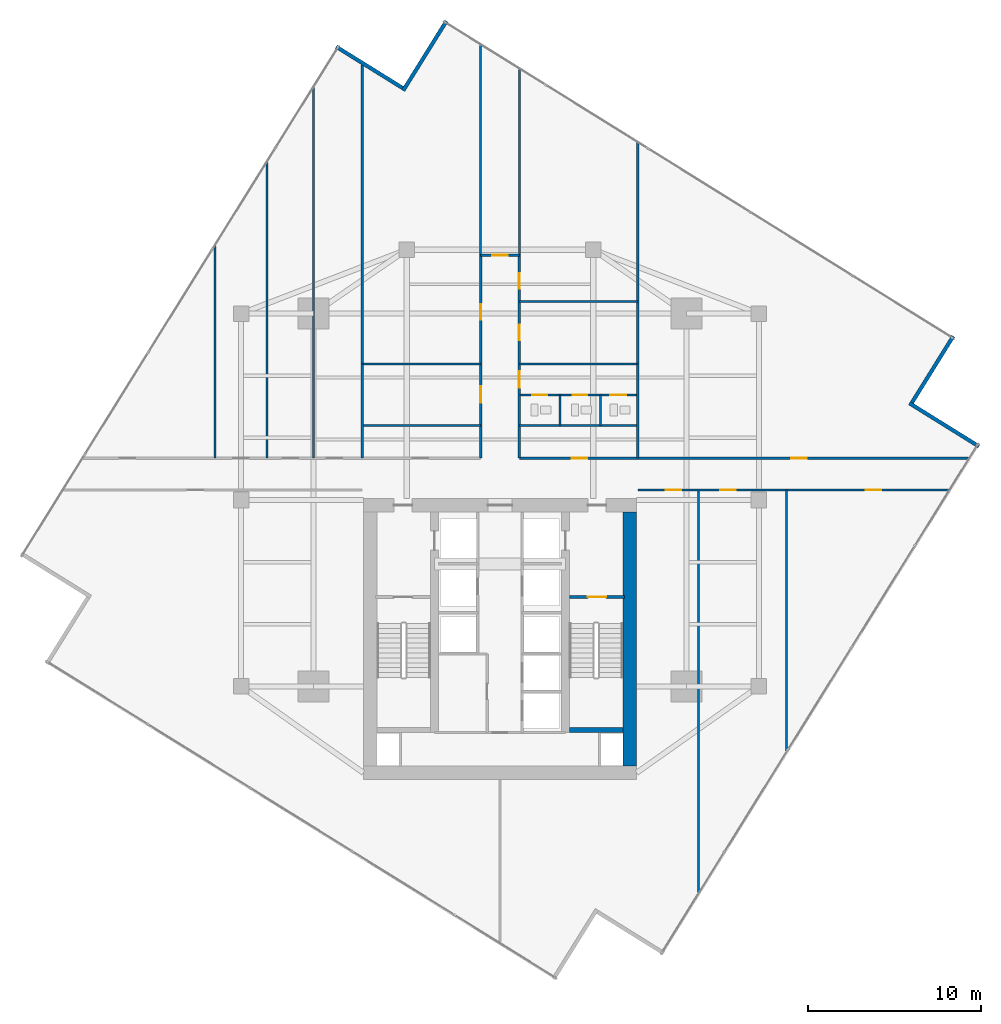
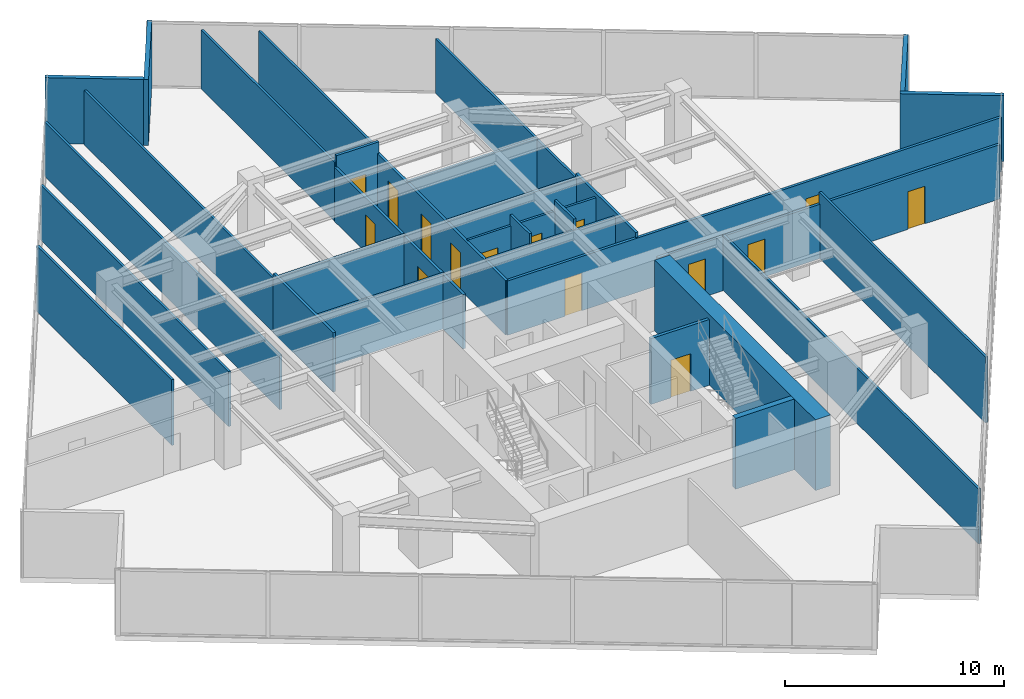
# One storey, part 22 of 25: 31 walls, 15 doors, 15 openings.
"""IFC4 building model written with IfcOpenShell, lengths in metres."""

from ifc_helpers import new_model, si_unit, direction, frame, frame_2d, origin, place, context, subcontext, project, spatial, rectangle, extrude, material, layer, layer_set, type_object, element, fill, save


model = new_model("IFC4")

# Units and contexts
model_context = context("Model", 3, precision=1e-05, world=origin(), true_north=direction((0.0, 1.0)))
body_context = subcontext(model_context, "Body", "Model", "MODEL_VIEW")
ifc_project = project(units=[si_unit("LENGTHUNIT", "METRE"), si_unit("AREAUNIT", "SQUARE_METRE"), si_unit("VOLUMEUNIT", "CUBIC_METRE"), si_unit("PLANEANGLEUNIT", "RADIAN"), si_unit("MASSUNIT", "GRAM", prefix="KILO")], contexts=[model_context])

# Site, building, storey
site_placement = place(None, origin())
site = spatial("IfcSite", under=ifc_project, at=site_placement, CompositionType="ELEMENT")
building_placement = place(site_placement, origin())
building = spatial("IfcBuilding", under=site, at=building_placement, Name="Krantzveldt Concourse Tower", CompositionType="ELEMENT")
storey_placement = place(building_placement, frame((0.0, 0.0, 181.75)))
storey = spatial("IfcBuildingStorey", under=building, at=storey_placement, Name="L44", CompositionType="ELEMENT", Elevation=181.75)

# Walls
ifc_material_1 = material(Name="Anodised aluminium 6063-T6", Category="aluminium")
ifc_layer_1 = layer(ifc_material_1, 0.219970703125, Name="Anodised aluminium 6063-T6", Category="aluminium")
ifc_layer_set_1 = layer_set([ifc_layer_1], Name="Anodised aluminium 6063-T6 (WL-EXT-NOTCH220)")
wall_type_1 = type_object("IfcWallType", Name="WL-EXT-NOTCH220", PredefinedType="ELEMENTEDWALL", material=ifc_layer_set_1)
wall_1_placement = place(storey_placement, frame((30.354248046875, 50.571044921875, 0.0), z_axis=(0.0, 0.0, 1.0), x_axis=(-0.849196398465, 0.528077150456, 0.0)))
element("IfcWall", 1, at=wall_1_placement, inside=storey, type_object=wall_type_1, Name="EW-L44-NCH00", PredefinedType="ELEMENTEDWALL", context=body_context, shape_type="SweptSolid", body=[
    extrude(rectangle(XDim=4.525146484375, YDim=0.219970703125, at=frame_2d((2.2626953125, 0.0))), origin(), (0.0, 0.0, 1.0), 3.669921875),
])
wall_2_placement = place(storey_placement, frame((63.7490234375, 29.804931640625, 0.0), z_axis=(0.0, 0.0, 1.0), x_axis=(-0.84921299194, 0.528050465694, 0.0)))
element("IfcWall", 2, at=wall_2_placement, inside=storey, type_object=wall_type_1, Name="EW-L44-NCH08", PredefinedType="ELEMENTEDWALL", context=body_context, shape_type="SweptSolid", body=[
    extrude(rectangle(XDim=4.7451171875, YDim=0.219970703125, at=frame_2d((2.37255859375, 0.0))), origin(), (0.0, 0.0, 1.0), 3.669921875),
])
wall_3_placement = place(storey_placement, frame((59.87109375, 32.345947265625, 0.0), z_axis=(0.0, 0.0, 1.0), x_axis=(0.528062437074, 0.849205547881, 0.0)))
element("IfcWall", 3, at=wall_3_placement, inside=storey, type_object=wall_type_1, Name="EW-L44-NCH09", PredefinedType="ELEMENTEDWALL", context=body_context, shape_type="SweptSolid", body=[
    extrude(rectangle(XDim=4.52490234375, YDim=0.219970703125, at=frame_2d((2.262451171875, 0.0))), origin(), (0.0, 0.0, 1.0), 3.669921875),
])
wall_4_placement = place(storey_placement, frame((32.895263671875, 54.448974609375, 0.0), z_axis=(0.0, 0.0, 1.0), x_axis=(-0.528110642948, -0.849175570071, 0.0)))
element("IfcWall", 4, at=wall_4_placement, inside=storey, type_object=wall_type_1, Name="EW-L44-NCH11", PredefinedType="ELEMENTEDWALL", context=body_context, shape_type="SweptSolid", body=[
    extrude(rectangle(XDim=4.744873046875, YDim=0.219970703125, at=frame_2d((2.37255859375, 0.0))), origin(), (0.0, 0.0, 1.0), 3.669921875),
])
ifc_material_2 = material(Name="Fire-rated gypsum plasterboard on steel stud", Category="steel")
ifc_layer_2 = layer(ifc_material_2, 0.1201171875, Name="Fire-rated gypsum plasterboard on steel stud", Category="steel")
ifc_layer_set_2 = layer_set([ifc_layer_2], Name="Fire-rated gypsum plasterboard on steel stud (WL-PART-120)")
wall_type_2 = type_object("IfcWallType", Name="WL-PART-120", PredefinedType="PARTITIONING", material=ifc_layer_set_2)
for number, where, z_axis, x_axis, name in (
    (5, (28.02001953125, 31.02001953125, 0.0), (0.0, 0.0, 1.0), (1.0, 0.0, 0.0), "WP-L44-ISML"),
    (6, (37.1201171875, 31.02001953125, 0.0), (0.0, 0.0, 1.0), (1.0, 0.0, 0.0), "WP-L44-ISMR"),
):
    element("IfcWall", number, at=place(storey_placement, frame(where, z_axis=z_axis, x_axis=x_axis)), inside=storey, type_object=wall_type_2, Name=name, PredefinedType="PARTITIONING", context=body_context, shape_type="SweptSolid", body=[
        extrude(rectangle(XDim=6.85986328125, YDim=0.1201171875, at=frame_2d((3.429931640625, 0.0))), origin(), (0.0, 0.0, 1.0), 3.080078125),
    ])

# Wall, openings, doors
wall_5_placement = place(storey_placement, frame((37.14990234375, 32.780029296875, 0.0), z_axis=(0.0, 0.0, 1.0), x_axis=(1.0, 0.0, 0.0)))
wall_5 = element("IfcWall", 7, at=wall_5_placement, inside=storey, type_object=wall_type_2, Name="WP-L44-WCHDR", PredefinedType="PARTITIONING", context=body_context, shape_type="SweptSolid", body=[
    extrude(rectangle(XDim=6.800048828125, YDim=0.1201171875, at=frame_2d((3.39990234375, 0.0))), origin(), (0.0, 0.0, 1.0), 3.080078125),
])
opening_1_placement = place(wall_5_placement, frame((0.72509765625, 0.0, 0.0)))
opening_1 = element("IfcOpeningElement", 8, at=opening_1_placement, cuts=wall_5, Name="Opening D-IN085", PredefinedType="OPENING", context=body_context, shape_type="SweptSolid", body=[
    extrude(rectangle(XDim=0.85009765625, YDim=2.10009765625, at=frame_2d((0.425048828125, 1.050048828125))), frame((0.0, 0.070068359375, 0.0), z_axis=(0.0, -1.0, 0.0), x_axis=(1.0, 0.0, 0.0)), (0.0, 0.0, 1.0), 0.14013671875),
])
opening_2_placement = place(wall_5_placement, frame((3.06494140625, 0.0, 0.0)))
opening_2 = element("IfcOpeningElement", 9, at=opening_2_placement, cuts=wall_5, Name="Opening D-IN085", PredefinedType="OPENING", context=body_context, shape_type="SweptSolid", body=[
    extrude(rectangle(XDim=0.85009765625, YDim=2.10009765625, at=frame_2d((0.425048828125, 1.050048828125))), frame((0.0, 0.070068359375, 0.0), z_axis=(0.0, -1.0, 0.0), x_axis=(1.0, 0.0, 0.0)), (0.0, 0.0, 1.0), 0.14013671875),
])
opening_3_placement = place(wall_5_placement, frame((5.25, 0.0, 0.0)))
opening_3 = element("IfcOpeningElement", 10, at=opening_3_placement, cuts=wall_5, Name="Opening D-IN090", PredefinedType="OPENING", context=body_context, shape_type="SweptSolid", body=[
    extrude(rectangle(XDim=0.89990234375, YDim=2.10009765625, at=frame_2d((0.449951171875, 1.050048828125))), frame((0.0, 0.070068359375, 0.0), z_axis=(0.0, -1.0, 0.0), x_axis=(1.0, 0.0, 0.0)), (0.0, 0.0, 1.0), 0.14013671875),
])
ifc_material_3 = material(Name="Hardwood timber", Category="wood")
door_type_1 = type_object("IfcDoorType", Name="DR-INT-850", OperationType="SINGLE_SWING_LEFT", PredefinedType="DOOR", material=ifc_material_3)
door_1_placement = place(opening_1_placement, origin())
door_1 = element("IfcDoor", 11, at=door_1_placement, inside=storey, type_object=door_type_1, Name="DR-L44-WCM", OperationType="SINGLE_SWING_LEFT", OverallHeight=2.10009765625, OverallWidth=0.85009765625, PredefinedType="DOOR", context=body_context, shape_type="SweptSolid", body=[
    extrude(rectangle(XDim=0.85009765625, YDim=2.10009765625, at=frame_2d((0.425048828125, 1.050048828125))), frame((0.0, 0.02490234375, 0.0), z_axis=(0.0, -1.0, 0.0), x_axis=(1.0, 0.0, 0.0)), (0.0, 0.0, 1.0), 0.050048828125),
])
fill(opening_1, door_1)
door_2_placement = place(opening_2_placement, origin())
door_2 = element("IfcDoor", 12, at=door_2_placement, inside=storey, type_object=door_type_1, Name="DR-L44-WCF", OperationType="SINGLE_SWING_RIGHT", OverallHeight=2.10009765625, OverallWidth=0.85009765625, PredefinedType="DOOR", context=body_context, shape_type="SweptSolid", body=[
    extrude(rectangle(XDim=0.85009765625, YDim=2.10009765625, at=frame_2d((0.425048828125, 1.050048828125))), frame((0.0, 0.02490234375, 0.0), z_axis=(0.0, -1.0, 0.0), x_axis=(1.0, 0.0, 0.0)), (0.0, 0.0, 1.0), 0.050048828125),
])
fill(opening_2, door_2)
door_type_2 = type_object("IfcDoorType", Name="DR-INT-900", OperationType="SINGLE_SWING_LEFT", PredefinedType="DOOR", material=ifc_material_3)
door_3_placement = place(opening_3_placement, origin())
door_3 = element("IfcDoor", 13, at=door_3_placement, inside=storey, type_object=door_type_2, Name="DR-L44-WCA", OperationType="SINGLE_SWING_LEFT", OverallHeight=2.10009765625, OverallWidth=0.89990234375, PredefinedType="DOOR", context=body_context, shape_type="SweptSolid", body=[
    extrude(rectangle(XDim=0.89990234375, YDim=2.10009765625, at=frame_2d((0.449951171875, 1.050048828125))), frame((0.0, 0.02490234375, 0.0), z_axis=(0.0, -1.0, 0.0), x_axis=(1.0, 0.0, 0.0)), (0.0, 0.0, 1.0), 0.050048828125),
])
fill(opening_3, door_3)

# Walls
for number, where, z_axis, x_axis, name in (
    (14, (39.469970703125, 31.02001953125, 0.0), (0.0, 0.0, 1.0), (0.0, 1.0, 0.0), "WP-L44-WCD1"),
    (15, (41.81005859375, 31.02001953125, 0.0), (0.0, 0.0, 1.0), (0.0, 1.0, 0.0), "WP-L44-WCD2"),
):
    element("IfcWall", number, at=place(storey_placement, frame(where, z_axis=z_axis, x_axis=x_axis)), inside=storey, type_object=wall_type_2, Name=name, PredefinedType="PARTITIONING", context=body_context, shape_type="SweptSolid", body=[
        extrude(rectangle(XDim=1.760009765625, YDim=0.1201171875, at=frame_2d((0.8798828125, 0.0))), origin(), (0.0, 0.0, 1.0), 3.669921875),
    ])
wall_6_placement = place(storey_placement, frame((34.8798828125, 40.8798828125, 0.0), z_axis=(0.0, 0.0, 1.0), x_axis=(0.0, 1.0, 0.0)))
element("IfcWall", 16, at=wall_6_placement, inside=storey, type_object=wall_type_2, Name="WP-L44-NTL", PredefinedType="PARTITIONING", context=body_context, shape_type="SweptSolid", body=[
    extrude(rectangle(XDim=12.199462890625, YDim=0.1201171875, at=frame_2d((6.099609375, 0.0))), origin(), (0.0, 0.0, 1.0), 3.280029296875),
])
wall_7_placement = place(storey_placement, frame((37.1201171875, 40.8798828125, 0.0), z_axis=(0.0, 0.0, 1.0), x_axis=(0.0, 1.0, 0.0)))
element("IfcWall", 17, at=wall_7_placement, inside=storey, type_object=wall_type_2, Name="WP-L44-NTR", PredefinedType="PARTITIONING", context=body_context, shape_type="SweptSolid", body=[
    extrude(rectangle(XDim=10.806640625, YDim=0.1201171875, at=frame_2d((5.4033203125, 0.0))), origin(), (0.0, 0.0, 1.0), 3.280029296875),
])
wall_8_placement = place(storey_placement, frame((19.5, 29.1201171875, 0.0), z_axis=(0.0, 0.0, 1.0), x_axis=(0.0, 1.0, 0.0)))
element("IfcWall", 18, at=wall_8_placement, inside=storey, type_object=wall_type_2, Name="WP-L44-NWX1", PredefinedType="PARTITIONING", context=body_context, shape_type="SweptSolid", body=[
    extrude(rectangle(XDim=12.34716796875, YDim=0.1201171875, at=frame_2d((6.173583984375, 0.0))), origin(), (0.0, 0.0, 1.0), 3.669921875),
])
wall_9_placement = place(storey_placement, frame((22.5, 29.1201171875, 0.0), z_axis=(0.0, 0.0, 1.0), x_axis=(0.0, 1.0, 0.0)))
element("IfcWall", 19, at=wall_9_placement, inside=storey, type_object=wall_type_2, Name="WP-L44-NWX2", PredefinedType="PARTITIONING", context=body_context, shape_type="SweptSolid", body=[
    extrude(rectangle(XDim=17.171630859375, YDim=0.1201171875, at=frame_2d((8.5859375, 0.0))), origin(), (0.0, 0.0, 1.0), 3.080078125),
])
wall_10_placement = place(storey_placement, frame((25.199951171875, 29.1201171875, 0.0), z_axis=(0.0, 0.0, 1.0), x_axis=(0.0, 1.0, 0.0)))
element("IfcWall", 20, at=wall_10_placement, inside=storey, type_object=wall_type_2, Name="WP-L44-NWX3", PredefinedType="PARTITIONING", context=body_context, shape_type="SweptSolid", body=[
    extrude(rectangle(XDim=21.513671875, YDim=0.1201171875, at=frame_2d((10.7568359375, 0.0))), origin(), (0.0, 0.0, 1.0), 3.030029296875),
])
wall_11_placement = place(storey_placement, frame((28.02001953125, 34.580078125, 0.0), z_axis=(0.0, 0.0, 1.0), x_axis=(0.0, 1.0, 0.0)))
element("IfcWall", 21, at=wall_11_placement, inside=storey, type_object=wall_type_2, Name="WP-L44-ISWL2", PredefinedType="PARTITIONING", context=body_context, shape_type="SweptSolid", body=[
    extrude(rectangle(XDim=17.30712890625, YDim=0.1201171875, at=frame_2d((8.653564453125, 0.0))), origin(), (0.0, 0.0, 1.0), 3.030029296875),
])
wall_12_placement = place(storey_placement, frame((43.97998046875, 34.580078125, 0.0), z_axis=(0.0, 0.0, 1.0), x_axis=(0.0, 1.0, 0.0)))
element("IfcWall", 22, at=wall_12_placement, inside=storey, type_object=wall_type_2, Name="WP-L44-ISER2", PredefinedType="PARTITIONING", context=body_context, shape_type="SweptSolid", body=[
    extrude(rectangle(XDim=12.840576171875, YDim=0.1201171875, at=frame_2d((6.42041015625, 0.0))), origin(), (0.0, 0.0, 1.0), 3.030029296875),
])
wall_13_placement = place(storey_placement, frame((37.1201171875, 38.199951171875, 0.0), z_axis=(0.0, 0.0, 1.0), x_axis=(1.0, 0.0, 0.0)))
element("IfcWall", 23, at=wall_13_placement, inside=storey, type_object=wall_type_2, Name="WP-L44-NEIY", PredefinedType="PARTITIONING", context=body_context, shape_type="SweptSolid", body=[
    extrude(rectangle(XDim=6.85986328125, YDim=0.1201171875, at=frame_2d((3.429931640625, 0.0))), origin(), (0.0, 0.0, 1.0), 3.080078125),
])
wall_14_placement = place(storey_placement, frame((47.5, 3.89208984375, 0.0), z_axis=(0.0, 0.0, 1.0), x_axis=(0.0, 1.0, 0.0)))
element("IfcWall", 24, at=wall_14_placement, inside=storey, type_object=wall_type_2, Name="WP-L44-SEX1", PredefinedType="PARTITIONING", context=body_context, shape_type="SweptSolid", body=[
    extrude(rectangle(XDim=23.387939453125, YDim=0.1201171875, at=frame_2d((11.69384765625, 0.0))), origin(), (0.0, 0.0, 1.0), 3.080078125),
])
wall_15_placement = place(storey_placement, frame((52.60009765625, 12.093505859375, 0.0), z_axis=(0.0, 0.0, 1.0), x_axis=(0.0, 1.0, 0.0)))
element("IfcWall", 25, at=wall_15_placement, inside=storey, type_object=wall_type_2, Name="WP-L44-SEX2", PredefinedType="PARTITIONING", context=body_context, shape_type="SweptSolid", body=[
    extrude(rectangle(XDim=15.1865234375, YDim=0.1201171875, at=frame_2d((7.59326171875, 0.0))), origin(), (0.0, 0.0, 1.0), 3.669921875),
])

# Wall, openings, doors
ifc_layer_3 = layer(ifc_material_2, 0.139892578125, Name="Fire-rated gypsum plasterboard on steel stud", Category="steel")
ifc_layer_set_3 = layer_set([ifc_layer_3], Name="Fire-rated gypsum plasterboard on steel stud (WL-PART-140)")
wall_type_3 = type_object("IfcWallType", Name="WL-PART-140", PredefinedType="PARTITIONING", material=ifc_layer_set_3)
wall_16_placement = place(storey_placement, frame((34.8798828125, 29.1201171875, 0.0), z_axis=(0.0, 0.0, 1.0), x_axis=(0.0, 1.0, 0.0)))
wall_16 = element("IfcWall", 26, at=wall_16_placement, inside=storey, type_object=wall_type_3, Name="WP-L44-SPWL", PredefinedType="PARTITIONING", context=body_context, shape_type="SweptSolid", body=[
    extrude(rectangle(XDim=11.759765625, YDim=0.139892578125, at=frame_2d((5.8798828125, 0.0))), origin(), (0.0, 0.0, 1.0), 3.030029296875),
])
opening_4_placement = place(wall_16_placement, frame((3.205078125, 0.0, 0.0)))
opening_4 = element("IfcOpeningElement", 27, at=opening_4_placement, cuts=wall_16, Name="Opening D-IN095", PredefinedType="OPENING", context=body_context, shape_type="SweptSolid", body=[
    extrude(rectangle(XDim=0.949951171875, YDim=2.10009765625, at=frame_2d((0.47509765625, 1.050048828125))), frame((0.0, 0.080078125, 0.0), z_axis=(0.0, -1.0, 0.0), x_axis=(1.0, 0.0, 0.0)), (0.0, 0.0, 1.0), 0.159912109375),
])
opening_5_placement = place(wall_16_placement, frame((8.02001953125, 0.0, 0.0)))
opening_5 = element("IfcOpeningElement", 28, at=opening_5_placement, cuts=wall_16, Name="Opening D-IN090", PredefinedType="OPENING", context=body_context, shape_type="SweptSolid", body=[
    extrude(rectangle(XDim=0.89990234375, YDim=2.10009765625, at=frame_2d((0.449951171875, 1.050048828125))), frame((0.0, 0.080078125, 0.0), z_axis=(0.0, -1.0, 0.0), x_axis=(1.0, 0.0, 0.0)), (0.0, 0.0, 1.0), 0.159912109375),
])
door_4_placement = place(opening_5_placement, origin())
door_4 = element("IfcDoor", 29, at=door_4_placement, inside=storey, type_object=door_type_2, Name="DR-L44-NWI1", OperationType="SINGLE_SWING_LEFT", OverallHeight=2.10009765625, OverallWidth=0.89990234375, PredefinedType="DOOR", context=body_context, shape_type="SweptSolid", body=[
    extrude(rectangle(XDim=0.89990234375, YDim=2.10009765625, at=frame_2d((0.449951171875, 1.050048828125))), frame((0.0, 0.02490234375, 0.0), z_axis=(0.0, -1.0, 0.0), x_axis=(1.0, 0.0, 0.0)), (0.0, 0.0, 1.0), 0.050048828125),
])
fill(opening_5, door_4)
door_type_3 = type_object("IfcDoorType", Name="DR-INT-950", OperationType="SINGLE_SWING_LEFT", PredefinedType="DOOR", material=ifc_material_3)
door_5_placement = place(opening_4_placement, origin())
door_5 = element("IfcDoor", 30, at=door_5_placement, inside=storey, type_object=door_type_3, Name="DR-L44-PNT", OperationType="SINGLE_SWING_RIGHT", OverallHeight=2.10009765625, OverallWidth=0.949951171875, PredefinedType="DOOR", context=body_context, shape_type="SweptSolid", body=[
    extrude(rectangle(XDim=0.949951171875, YDim=2.10009765625, at=frame_2d((0.47509765625, 1.050048828125))), frame((0.0, 0.02490234375, 0.0), z_axis=(0.0, -1.0, 0.0), x_axis=(1.0, 0.0, 0.0)), (0.0, 0.0, 1.0), 0.050048828125),
])
fill(opening_4, door_5)

wall_17_placement = place(storey_placement, frame((37.1201171875, 29.1201171875, 0.0), z_axis=(0.0, 0.0, 1.0), x_axis=(0.0, 1.0, 0.0)))
wall_17 = element("IfcWall", 31, at=wall_17_placement, inside=storey, type_object=wall_type_3, Name="WP-L44-SPER", PredefinedType="PARTITIONING", context=body_context, shape_type="SweptSolid", body=[
    extrude(rectangle(XDim=11.759765625, YDim=0.139892578125, at=frame_2d((5.8798828125, 0.0))), origin(), (0.0, 0.0, 1.0), 3.030029296875),
])
opening_6_placement = place(wall_17_placement, frame((4.0849609375, 0.0, 0.0)))
opening_6 = element("IfcOpeningElement", 32, at=opening_6_placement, cuts=wall_17, Name="Opening D-IN095", PredefinedType="OPENING", context=body_context, shape_type="SweptSolid", body=[
    extrude(rectangle(XDim=0.949951171875, YDim=2.10009765625, at=frame_2d((0.47509765625, 1.050048828125))), frame((0.0, 0.080078125, 0.0), z_axis=(0.0, -1.0, 0.0), x_axis=(1.0, 0.0, 0.0)), (0.0, 0.0, 1.0), 0.159912109375),
])
opening_7_placement = place(wall_17_placement, frame((6.820068359375, 0.0, 0.0)))
opening_7 = element("IfcOpeningElement", 33, at=opening_7_placement, cuts=wall_17, Name="Opening D-IN090", PredefinedType="OPENING", context=body_context, shape_type="SweptSolid", body=[
    extrude(rectangle(XDim=0.89990234375, YDim=2.10009765625, at=frame_2d((0.449951171875, 1.050048828125))), frame((0.0, 0.080078125, 0.0), z_axis=(0.0, -1.0, 0.0), x_axis=(1.0, 0.0, 0.0)), (0.0, 0.0, 1.0), 0.159912109375),
])
opening_8_placement = place(wall_17_placement, frame((9.830078125, 0.0, 0.0)))
opening_8 = element("IfcOpeningElement", 34, at=opening_8_placement, cuts=wall_17, Name="Opening D-IN090", PredefinedType="OPENING", context=body_context, shape_type="SweptSolid", body=[
    extrude(rectangle(XDim=0.89990234375, YDim=2.10009765625, at=frame_2d((0.449951171875, 1.050048828125))), frame((0.0, 0.080078125, 0.0), z_axis=(0.0, -1.0, 0.0), x_axis=(1.0, 0.0, 0.0)), (0.0, 0.0, 1.0), 0.159912109375),
])
door_6_placement = place(opening_7_placement, origin())
door_6 = element("IfcDoor", 35, at=door_6_placement, inside=storey, type_object=door_type_2, Name="DR-L44-NEI1", OperationType="SINGLE_SWING_LEFT", OverallHeight=2.10009765625, OverallWidth=0.89990234375, PredefinedType="DOOR", context=body_context, shape_type="SweptSolid", body=[
    extrude(rectangle(XDim=0.89990234375, YDim=2.10009765625, at=frame_2d((0.449951171875, 1.050048828125))), frame((0.0, 0.02490234375, 0.0), z_axis=(0.0, -1.0, 0.0), x_axis=(1.0, 0.0, 0.0)), (0.0, 0.0, 1.0), 0.050048828125),
])
fill(opening_7, door_6)
door_7_placement = place(opening_8_placement, origin())
door_7 = element("IfcDoor", 36, at=door_7_placement, inside=storey, type_object=door_type_2, Name="DR-L44-NEI2", OperationType="SINGLE_SWING_LEFT", OverallHeight=2.10009765625, OverallWidth=0.89990234375, PredefinedType="DOOR", context=body_context, shape_type="SweptSolid", body=[
    extrude(rectangle(XDim=0.89990234375, YDim=2.10009765625, at=frame_2d((0.449951171875, 1.050048828125))), frame((0.0, 0.02490234375, 0.0), z_axis=(0.0, -1.0, 0.0), x_axis=(1.0, 0.0, 0.0)), (0.0, 0.0, 1.0), 0.050048828125),
])
fill(opening_8, door_7)
door_8_placement = place(opening_6_placement, origin())
door_8 = element("IfcDoor", 37, at=door_8_placement, inside=storey, type_object=door_type_3, Name="DR-L44-WCLB", OperationType="SINGLE_SWING_LEFT", OverallHeight=2.10009765625, OverallWidth=0.949951171875, PredefinedType="DOOR", context=body_context, shape_type="SweptSolid", body=[
    extrude(rectangle(XDim=0.949951171875, YDim=2.10009765625, at=frame_2d((0.47509765625, 1.050048828125))), frame((0.0, 0.02490234375, 0.0), z_axis=(0.0, -1.0, 0.0), x_axis=(1.0, 0.0, 0.0)), (0.0, 0.0, 1.0), 0.050048828125),
])
fill(opening_6, door_8)

# Wall, opening, door
wall_18_placement = place(storey_placement, frame((34.8798828125, 40.8798828125, 0.0), z_axis=(0.0, 0.0, 1.0), x_axis=(1.0, 0.0, 0.0)))
wall_18 = element("IfcWall", 38, at=wall_18_placement, inside=storey, type_object=wall_type_3, Name="WP-L44-SPTOP", PredefinedType="PARTITIONING", context=body_context, shape_type="SweptSolid", body=[
    extrude(rectangle(XDim=2.240234375, YDim=0.139892578125, at=frame_2d((1.1201171875, 0.0))), origin(), (0.0, 0.0, 1.0), 3.669921875),
])
opening_9_placement = place(wall_18_placement, frame((0.669921875, 0.0, 0.0)))
opening_9 = element("IfcOpeningElement", 39, at=opening_9_placement, cuts=wall_18, Name="Opening D-IN090", PredefinedType="OPENING", context=body_context, shape_type="SweptSolid", body=[
    extrude(rectangle(XDim=0.89990234375, YDim=2.10009765625, at=frame_2d((0.449951171875, 1.050048828125))), frame((0.0, 0.080078125, 0.0), z_axis=(0.0, -1.0, 0.0), x_axis=(1.0, 0.0, 0.0)), (0.0, 0.0, 1.0), 0.159912109375),
])
door_9_placement = place(opening_9_placement, origin())
door_9 = element("IfcDoor", 40, at=door_9_placement, inside=storey, type_object=door_type_2, Name="DR-L44-NTOP", OperationType="SINGLE_SWING_LEFT", OverallHeight=2.10009765625, OverallWidth=0.89990234375, PredefinedType="DOOR", context=body_context, shape_type="SweptSolid", body=[
    extrude(rectangle(XDim=0.89990234375, YDim=2.10009765625, at=frame_2d((0.449951171875, 1.050048828125))), frame((0.0, 0.02490234375, 0.0), z_axis=(0.0, -1.0, 0.0), x_axis=(1.0, 0.0, 0.0)), (0.0, 0.0, 1.0), 0.050048828125),
])
fill(opening_9, door_9)

# Wall, openings, doors
wall_19_placement = place(storey_placement, frame((37.1201171875, 29.1201171875, 0.0), z_axis=(0.0, 0.0, 1.0), x_axis=(1.0, 0.0, 0.0)))
wall_19 = element("IfcWall", 41, at=wall_19_placement, inside=storey, type_object=wall_type_3, Name="WP-L44-EWNR", PredefinedType="PARTITIONING", context=body_context, shape_type="SweptSolid", body=[
    extrude(rectangle(XDim=26.067626953125, YDim=0.139892578125, at=frame_2d((13.03369140625, 0.0))), origin(), (0.0, 0.0, 1.0), 3.030029296875),
])
opening_10_placement = place(wall_19_placement, frame((3.030029296875, 0.0, 0.0)))
opening_10 = element("IfcOpeningElement", 42, at=opening_10_placement, cuts=wall_19, Name="Opening D-IN090", PredefinedType="OPENING", context=body_context, shape_type="SweptSolid", body=[
    extrude(rectangle(XDim=0.89990234375, YDim=2.10009765625, at=frame_2d((0.449951171875, 1.050048828125))), frame((0.0, 0.080078125, 0.0), z_axis=(0.0, -1.0, 0.0), x_axis=(1.0, 0.0, 0.0)), (0.0, 0.0, 1.0), 0.159912109375),
])
opening_11_placement = place(wall_19_placement, frame((15.760986328125, 0.0, 0.0)))
opening_11 = element("IfcOpeningElement", 43, at=opening_11_placement, cuts=wall_19, Name="Opening D-IN090", PredefinedType="OPENING", context=body_context, shape_type="SweptSolid", body=[
    extrude(rectangle(XDim=0.89990234375, YDim=2.10009765625, at=frame_2d((0.449951171875, 1.050048828125))), frame((0.0, 0.080078125, 0.0), z_axis=(0.0, -1.0, 0.0), x_axis=(1.0, 0.0, 0.0)), (0.0, 0.0, 1.0), 0.159912109375),
])
door_10_placement = place(opening_10_placement, origin())
door_10 = element("IfcDoor", 44, at=door_10_placement, inside=storey, type_object=door_type_2, Name="DR-L44-ALCR", OperationType="SINGLE_SWING_RIGHT", OverallHeight=2.10009765625, OverallWidth=0.89990234375, PredefinedType="DOOR", context=body_context, shape_type="SweptSolid", body=[
    extrude(rectangle(XDim=0.89990234375, YDim=2.10009765625, at=frame_2d((0.449951171875, 1.050048828125))), frame((0.0, 0.02490234375, 0.0), z_axis=(0.0, -1.0, 0.0), x_axis=(1.0, 0.0, 0.0)), (0.0, 0.0, 1.0), 0.050048828125),
])
fill(opening_10, door_10)
door_11_placement = place(opening_11_placement, origin())
door_11 = element("IfcDoor", 45, at=door_11_placement, inside=storey, type_object=door_type_2, Name="DR-L44-NEX1", OperationType="SINGLE_SWING_RIGHT", OverallHeight=2.10009765625, OverallWidth=0.89990234375, PredefinedType="DOOR", context=body_context, shape_type="SweptSolid", body=[
    extrude(rectangle(XDim=0.89990234375, YDim=2.10009765625, at=frame_2d((0.449951171875, 1.050048828125))), frame((0.0, 0.02490234375, 0.0), z_axis=(0.0, -1.0, 0.0), x_axis=(1.0, 0.0, 0.0)), (0.0, 0.0, 1.0), 0.050048828125),
])
fill(opening_11, door_11)

wall_20_placement = place(storey_placement, frame((44.0, 27.280029296875, 0.0), z_axis=(0.0, 0.0, 1.0), x_axis=(1.0, 0.0, 0.0)))
wall_20 = element("IfcWall", 46, at=wall_20_placement, inside=storey, type_object=wall_type_3, Name="WP-L44-EWSR", PredefinedType="PARTITIONING", context=body_context, shape_type="SweptSolid", body=[
    extrude(rectangle(XDim=18.043701171875, YDim=0.139892578125, at=frame_2d((9.02197265625, 0.0))), origin(), (0.0, 0.0, 1.0), 3.030029296875),
])
opening_12_placement = place(wall_20_placement, frame((1.60009765625, 0.0, 0.0)))
opening_12 = element("IfcOpeningElement", 47, at=opening_12_placement, cuts=wall_20, Name="Opening D-IN090", PredefinedType="OPENING", context=body_context, shape_type="SweptSolid", body=[
    extrude(rectangle(XDim=0.89990234375, YDim=2.10009765625, at=frame_2d((0.449951171875, 1.050048828125))), frame((0.0, 0.080078125, 0.0), z_axis=(0.0, -1.0, 0.0), x_axis=(1.0, 0.0, 0.0)), (0.0, 0.0, 1.0), 0.159912109375),
])
opening_13_placement = place(wall_20_placement, frame((4.75, 0.0, 0.0)))
opening_13 = element("IfcOpeningElement", 48, at=opening_13_placement, cuts=wall_20, Name="Opening D-IN090", PredefinedType="OPENING", context=body_context, shape_type="SweptSolid", body=[
    extrude(rectangle(XDim=0.89990234375, YDim=2.10009765625, at=frame_2d((0.449951171875, 1.050048828125))), frame((0.0, 0.080078125, 0.0), z_axis=(0.0, -1.0, 0.0), x_axis=(1.0, 0.0, 0.0)), (0.0, 0.0, 1.0), 0.159912109375),
])
opening_14_placement = place(wall_20_placement, frame((13.19091796875, 0.0, 0.0)))
opening_14 = element("IfcOpeningElement", 49, at=opening_14_placement, cuts=wall_20, Name="Opening D-IN090", PredefinedType="OPENING", context=body_context, shape_type="SweptSolid", body=[
    extrude(rectangle(XDim=0.89990234375, YDim=2.10009765625, at=frame_2d((0.449951171875, 1.050048828125))), frame((0.0, 0.080078125, 0.0), z_axis=(0.0, -1.0, 0.0), x_axis=(1.0, 0.0, 0.0)), (0.0, 0.0, 1.0), 0.159912109375),
])
door_12_placement = place(opening_12_placement, origin())
door_12 = element("IfcDoor", 50, at=door_12_placement, inside=storey, type_object=door_type_2, Name="DR-L44-SEX1", OperationType="SINGLE_SWING_RIGHT", OverallHeight=2.10009765625, OverallWidth=0.89990234375, PredefinedType="DOOR", context=body_context, shape_type="SweptSolid", body=[
    extrude(rectangle(XDim=0.89990234375, YDim=2.10009765625, at=frame_2d((0.449951171875, 1.050048828125))), frame((0.0, 0.02490234375, 0.0), z_axis=(0.0, -1.0, 0.0), x_axis=(1.0, 0.0, 0.0)), (0.0, 0.0, 1.0), 0.050048828125),
])
fill(opening_12, door_12)
door_13_placement = place(opening_13_placement, origin())
door_13 = element("IfcDoor", 51, at=door_13_placement, inside=storey, type_object=door_type_2, Name="DR-L44-SEX2", OperationType="SINGLE_SWING_RIGHT", OverallHeight=2.10009765625, OverallWidth=0.89990234375, PredefinedType="DOOR", context=body_context, shape_type="SweptSolid", body=[
    extrude(rectangle(XDim=0.89990234375, YDim=2.10009765625, at=frame_2d((0.449951171875, 1.050048828125))), frame((0.0, 0.02490234375, 0.0), z_axis=(0.0, -1.0, 0.0), x_axis=(1.0, 0.0, 0.0)), (0.0, 0.0, 1.0), 0.050048828125),
])
fill(opening_13, door_13)
door_14_placement = place(opening_14_placement, origin())
door_14 = element("IfcDoor", 52, at=door_14_placement, inside=storey, type_object=door_type_2, Name="DR-L44-SEX3", OperationType="SINGLE_SWING_RIGHT", OverallHeight=2.10009765625, OverallWidth=0.89990234375, PredefinedType="DOOR", context=body_context, shape_type="SweptSolid", body=[
    extrude(rectangle(XDim=0.89990234375, YDim=2.10009765625, at=frame_2d((0.449951171875, 1.050048828125))), frame((0.0, 0.02490234375, 0.0), z_axis=(0.0, -1.0, 0.0), x_axis=(1.0, 0.0, 0.0)), (0.0, 0.0, 1.0), 0.050048828125),
])
fill(opening_14, door_14)

# Walls
for number, where, z_axis, x_axis, name in (
    (53, (28.02001953125, 34.580078125, 0.0), (0.0, 0.0, 1.0), (1.0, 0.0, 0.0), "WP-L44-ISNL"),
    (54, (37.1201171875, 34.580078125, 0.0), (0.0, 0.0, 1.0), (1.0, 0.0, 0.0), "WP-L44-ISNR"),
):
    element("IfcWall", number, at=place(storey_placement, frame(where, z_axis=z_axis, x_axis=x_axis)), inside=storey, type_object=wall_type_3, Name=name, PredefinedType="PARTITIONING", context=body_context, shape_type="SweptSolid", body=[
        extrude(rectangle(XDim=6.85986328125, YDim=0.139892578125, at=frame_2d((3.429931640625, 0.0))), origin(), (0.0, 0.0, 1.0), 3.080078125),
    ])
for number, where, z_axis, x_axis, name in (
    (55, (28.02001953125, 29.1201171875, 0.0), (0.0, 0.0, 1.0), (0.0, 1.0, 0.0), "WP-L44-ISWL"),
    (56, (43.97998046875, 29.1201171875, 0.0), (0.0, 0.0, 1.0), (0.0, 1.0, 0.0), "WP-L44-ISER"),
):
    element("IfcWall", number, at=place(storey_placement, frame(where, z_axis=z_axis, x_axis=x_axis)), inside=storey, type_object=wall_type_3, Name=name, PredefinedType="PARTITIONING", context=body_context, shape_type="SweptSolid", body=[
        extrude(rectangle(XDim=5.4599609375, YDim=0.139892578125, at=frame_2d((2.72998046875, 0.0))), origin(), (0.0, 0.0, 1.0), 3.31005859375),
    ])

# Wall, opening, door
ifc_layer_4 = layer(ifc_material_2, 0.159912109375, Name="Fire-rated gypsum plasterboard on steel stud", Category="steel")
ifc_layer_set_4 = layer_set([ifc_layer_4], Name="Fire-rated gypsum plasterboard on steel stud (WL-PART-FR160)")
wall_type_4 = type_object("IfcWallType", Name="WL-PART-FR160", PredefinedType="PARTITIONING", material=ifc_layer_set_4)
wall_21_placement = place(storey_placement, frame((40.0400390625, 21.080078125, 0.0), z_axis=(0.0, 0.0, 1.0), x_axis=(1.0, 0.0, 0.0)))
wall_21 = element("IfcWall", 57, at=wall_21_placement, inside=storey, type_object=wall_type_4, Name="WP-L44-ST2", PredefinedType="PARTITIONING", context=body_context, shape_type="SweptSolid", body=[
    extrude(rectangle(XDim=3.159912109375, YDim=0.159912109375, at=frame_2d((1.580078125, 0.0))), origin(), (0.0, 0.0, 1.0), 3.669921875),
])
opening_15_placement = place(wall_21_placement, frame((1.054931640625, 0.0, 0.0)))
opening_15 = element("IfcOpeningElement", 58, at=opening_15_placement, cuts=wall_21, Name="Opening D-FD105", PredefinedType="OPENING", context=body_context, shape_type="SweptSolid", body=[
    extrude(rectangle(XDim=1.050048828125, YDim=2.10009765625, at=frame_2d((0.52490234375, 1.050048828125))), frame((0.0, 0.08984375, 0.0), z_axis=(0.0, -1.0, 0.0), x_axis=(1.0, 0.0, 0.0)), (0.0, 0.0, 1.0), 0.179931640625),
])
ifc_material_4 = material(Name="Galvanised steel", Category="steel")
door_type_4 = type_object("IfcDoorType", Name="DR-FD120-1050", OperationType="SINGLE_SWING_LEFT", PredefinedType="DOOR", material=ifc_material_4)
door_15_placement = place(opening_15_placement, origin())
door_15 = element("IfcDoor", 59, at=door_15_placement, inside=storey, type_object=door_type_4, Name="DR-L44-ST2", OperationType="SINGLE_SWING_LEFT", OverallHeight=2.10009765625, OverallWidth=1.050048828125, PredefinedType="DOOR", context=body_context, shape_type="SweptSolid", body=[
    extrude(rectangle(XDim=1.050048828125, YDim=2.10009765625, at=frame_2d((0.52490234375, 1.050048828125))), frame((0.0, 0.02490234375, 0.0), z_axis=(0.0, -1.0, 0.0), x_axis=(1.0, 0.0, 0.0)), (0.0, 0.0, 1.0), 0.050048828125),
])
fill(opening_15, door_15)

# Walls
ifc_material_5 = material(Name="Concrete C50/60", Category="concrete")
ifc_layer_5 = layer(ifc_material_5, 0.300048828125, Name="Concrete C50/60", Category="concrete")
ifc_layer_set_5 = layer_set([ifc_layer_5], Name="Concrete C50/60 (WL-SHEAR-300)")
wall_type_5 = type_object("IfcWallType", Name="WL-SHEAR-300", PredefinedType="SHEAR", material=ifc_layer_set_5)
wall_22_placement = place(storey_placement, frame((40.02001953125, 13.3701171875, 0.0), z_axis=(0.0, 0.0, 1.0), x_axis=(1.0, 0.0, 0.0)))
element("IfcWall", 60, at=wall_22_placement, inside=storey, type_object=wall_type_5, Name="CW-L44-ST2S", PredefinedType="SHEAR", context=body_context, shape_type="SweptSolid", body=[
    extrude(rectangle(XDim=3.10009765625, YDim=0.300048828125, at=frame_2d((1.550048828125, 0.0))), origin(), (0.0, 0.0, 1.0), 3.949951171875),
])
ifc_material_6 = material(Name="Concrete C60/75", Category="concrete")
ifc_layer_6 = layer(ifc_material_6, 0.800048828125, Name="Concrete C60/75", Category="concrete")
ifc_layer_set_6 = layer_set([ifc_layer_6], Name="Concrete C60/75 (WL-SHEAR-800)")
wall_type_6 = type_object("IfcWallType", Name="WL-SHEAR-800", PredefinedType="SHEAR", material=ifc_layer_set_6)
wall_23_placement = place(storey_placement, frame((43.52001953125, 11.300048828125, 0.0), z_axis=(0.0, 0.0, 1.0), x_axis=(0.0, 1.0, 0.0)))
element("IfcWall", 61, at=wall_23_placement, inside=storey, type_object=wall_type_6, Name="CW-L44-E", PredefinedType="SHEAR", context=body_context, shape_type="SweptSolid", body=[
    extrude(rectangle(XDim=14.699951171875, YDim=0.800048828125, at=frame_2d((7.35009765625, 0.0))), origin(), (0.0, 0.0, 1.0), 3.949951171875),
])

save(model, "model.ifc")
